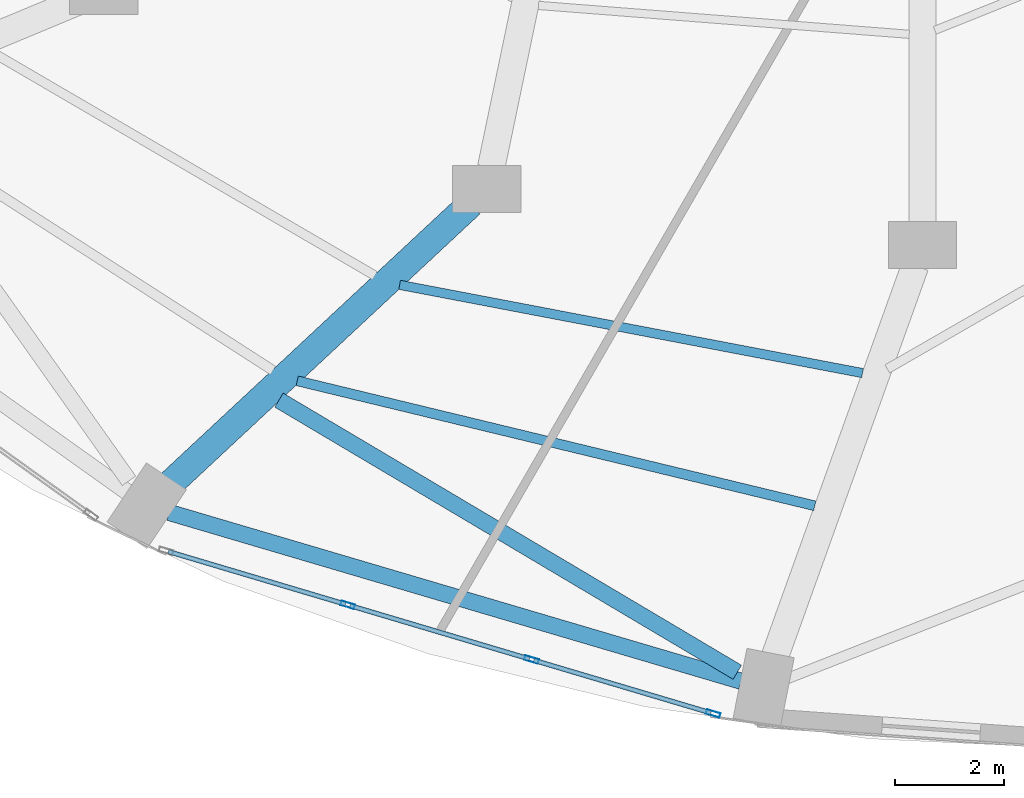
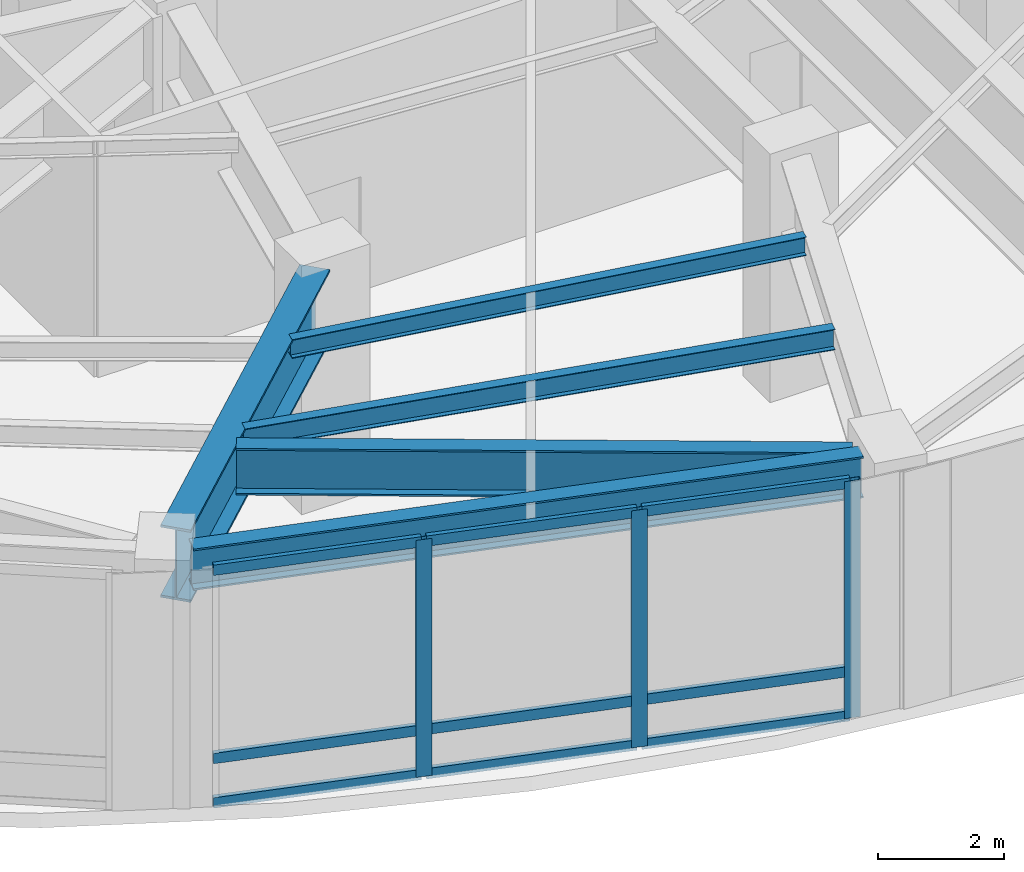
# One storey, part 3 of 24: 12 members, 5 beams, 1 element without a shape of its own.
"""IFC4 building model written with IfcOpenShell, lengths in metres."""

from ifc_helpers import new_model, si_unit, direction, frame, origin, origin_2d, place, context, subcontext, project, spatial, hollow_rectangle, i_section, extrude, material, layer, layer_set, material_profile, profile_set, type_object, element, aggregate, save


model = new_model("IFC4")

# Units and contexts
model_context = context("Model", 3, precision=1e-05, world=origin(), true_north=direction((0.0, 1.0)))
body_context = subcontext(model_context, "Body", "Model", "MODEL_VIEW")
ifc_project = project(units=[si_unit("LENGTHUNIT", "METRE"), si_unit("AREAUNIT", "SQUARE_METRE"), si_unit("VOLUMEUNIT", "CUBIC_METRE"), si_unit("PLANEANGLEUNIT", "RADIAN"), si_unit("MASSUNIT", "GRAM", prefix="KILO")], contexts=[model_context])

# Site, building, storey
site_placement = place(None, origin())
site = spatial("IfcSite", under=ifc_project, at=site_placement, CompositionType="ELEMENT")
building_placement = place(site_placement, origin())
building = spatial("IfcBuilding", under=site, at=building_placement, Name="Lazwardi Medical Tower", CompositionType="ELEMENT")
storey_placement = place(building_placement, frame((0.0, 0.0, 20.39990234375)))
storey = spatial("IfcBuildingStorey", under=building, at=storey_placement, Name="L04", CompositionType="ELEMENT", Elevation=20.39990234375)

# Beams
ifc_material_1 = material(Name="Steel S460", Category="steel")
ifc_material_profile_1 = material_profile(ifc_material_1, i_section(OverallWidth=0.300048828125, OverallDepth=0.89990234375, WebThickness=0.0185546875, FlangeThickness=0.034912109375, at=origin_2d()), Name="HEB 900")
ifc_profile_set_1 = profile_set([ifc_material_profile_1], Name="Steel S460")
beam_type_1 = type_object("IfcBeamType", Name="BM-HB-01", PredefinedType="BEAM", material=ifc_profile_set_1)
beam_1_placement = place(storey_placement, frame((21.02978515625, 8.990966796875, 4.130126953125), z_axis=(0.859874670216, -0.510505192453, 0.0), x_axis=(0.510505192453, 0.859874670216, 0.0)))
element("IfcBeam", 1, at=beam_1_placement, inside=storey, type_object=beam_type_1, Name="Transfer girder tie HB-01 M15 L04", PredefinedType="BEAM", context=body_context, shape_type="SweptSolid", body=[
    extrude(i_section(OverallWidth=0.300048828125, OverallDepth=0.89990234375, WebThickness=0.0185546875, FlangeThickness=0.034912109375, at=origin_2d()), origin(), (0.0, 0.0, 1.0), 9.748291015625),
])
ifc_material_2 = material(Name="Steel S355", Category="steel")
ifc_material_profile_2 = material_profile(ifc_material_2, i_section(OverallWidth=0.300048828125, OverallDepth=0.800048828125, WebThickness=0.017578125, FlangeThickness=0.032958984375, at=origin_2d()), Name="HEB 800")
ifc_profile_set_2 = profile_set([ifc_material_profile_2], Name="Steel S355")
beam_type_2 = type_object("IfcBeamType", Name="BM-RB-P1", PredefinedType="BEAM", material=ifc_profile_set_2)
beam_2_placement = place(storey_placement, frame((19.023193359375, 6.9365234375, 4.18017578125), z_axis=(0.959103395471, -0.283055960537, 0.0), x_axis=(0.283055960537, 0.959103395471, 0.0)))
element("IfcBeam", 2, at=beam_2_placement, inside=storey, type_object=beam_type_2, Name="Ring beam RB-01 B15 L04", PredefinedType="BEAM", context=body_context, shape_type="SweptSolid", body=[
    extrude(i_section(OverallWidth=0.300048828125, OverallDepth=0.800048828125, WebThickness=0.017578125, FlangeThickness=0.032958984375, at=origin_2d()), origin(), (0.0, 0.0, 1.0), 10.904052734375),
])
ifc_material_profile_3 = material_profile(ifc_material_2, i_section(OverallWidth=0.179931640625, OverallDepth=0.39990234375, WebThickness=0.008544921875, FlangeThickness=0.013427734375, at=origin_2d()), Name="IPE 400")
ifc_profile_set_3 = profile_set([ifc_material_profile_3], Name="Steel S355")
beam_type_3 = type_object("IfcBeamType", Name="BM-SJ-01", PredefinedType="JOIST", material=ifc_profile_set_3)
beam_3_placement = place(storey_placement, frame((21.36376953125, 9.34423828125, 4.380126953125), z_axis=(0.972054991485, -0.234753260955, 0.0), x_axis=(0.234753260955, 0.972054991485, 0.0)))
element("IfcBeam", 3, at=beam_3_placement, inside=storey, type_object=beam_type_3, Name="Secondary joist SJ-01 RO1 B15 L04", PredefinedType="JOIST", context=body_context, shape_type="SweptSolid", body=[
    extrude(i_section(OverallWidth=0.179931640625, OverallDepth=0.39990234375, WebThickness=0.008544921875, FlangeThickness=0.013427734375, at=origin_2d()), origin(), (0.0, 0.0, 1.0), 9.738525390625),
])
ifc_material_profile_4 = material_profile(ifc_material_2, i_section(OverallWidth=0.169921875, OverallDepth=0.360107421875, WebThickness=0.008056640625, FlangeThickness=0.0126953125, at=origin_2d()), Name="IPE 360")
ifc_profile_set_4 = profile_set([ifc_material_profile_4], Name="Steel S355")
beam_type_4 = type_object("IfcBeamType", Name="BM-SJ-02", PredefinedType="JOIST", material=ifc_profile_set_4)
beam_4_placement = place(storey_placement, frame((23.23681640625, 11.09912109375, 4.400146484375), z_axis=(0.982319470109, -0.187212335716, 0.0), x_axis=(0.187212335716, 0.982319470109, 0.0)))
element("IfcBeam", 4, at=beam_4_placement, inside=storey, type_object=beam_type_4, Name="Secondary joist SJ-02 RO2 B15 L04", PredefinedType="JOIST", context=body_context, shape_type="SweptSolid", body=[
    extrude(i_section(OverallWidth=0.169921875, OverallDepth=0.360107421875, WebThickness=0.008056640625, FlangeThickness=0.0126953125, at=origin_2d()), origin(), (0.0, 0.0, 1.0), 8.61865234375),
])
ifc_material_profile_5 = material_profile(ifc_material_1, i_section(OverallWidth=0.5, OverallDepth=1.39990234375, WebThickness=0.028076171875, FlangeThickness=0.044921875, at=origin_2d()), Name="PG 1400x500")
ifc_profile_set_5 = profile_set([ifc_material_profile_5], Name="Steel S460")
beam_type_5 = type_object("IfcBeamType", Name="BM-TG-01", PredefinedType="BEAM", material=ifc_profile_set_5)
beam_5_placement = place(storey_placement, frame((19.034912109375, 7.45361328125, 3.880126953125), z_axis=(0.731585142998, 0.681750085108, 0.0), x_axis=(-0.681750085108, 0.731585142998, 0.0)))
element("IfcBeam", 5, at=beam_5_placement, inside=storey, type_object=beam_type_5, Name="Transfer girder TG-01 M15A L04", PredefinedType="BEAM", context=body_context, shape_type="SweptSolid", body=[
    extrude(i_section(OverallWidth=0.5, OverallDepth=1.39990234375, WebThickness=0.028076171875, FlangeThickness=0.044921875, at=origin_2d()), origin(), (0.0, 0.0, 1.0), 7.52001953125),
])

# Curtain wall, members
ifc_material_3 = material(Name="Anodised bronze aluminium and solar control glazing", Category="aluminium")
ifc_layer = layer(ifc_material_3, 0.219970703125)
ifc_layer_set = layer_set([ifc_layer], Name="Anodised bronze aluminium and solar control glazing")
curtain_wall_type = type_object("IfcCurtainWallType", Name="CW-SYS-01", PredefinedType="NOTDEFINED", material=ifc_layer_set)
curtain_wall_placement = place(storey_placement, origin())
curtain_wall = element("IfcCurtainWall", 6, at=curtain_wall_placement, inside=storey, type_object=curtain_wall_type, Name="L04 Unitised bronze curtain wall CW-01", PredefinedType="NOTDEFINED")
ifc_material_4 = material(Name="Anodised bronze aluminium", Category="aluminium")
ifc_material_profile_6 = material_profile(ifc_material_4, hollow_rectangle(XDim=0.0849609375, YDim=0.260009765625, WallThickness=0.0048828125, at=origin_2d()), Name="ALU-MULLION 260x85x5")
ifc_profile_set_6 = profile_set([ifc_material_profile_6], Name="Anodised bronze aluminium")
member_type_1 = type_object("IfcMemberType", Name="CW-MUL-02", PredefinedType="MULLION", material=ifc_profile_set_6)
member_1_placement = place(storey_placement, frame((22.28759765625, 5.245849609375, 0.0), z_axis=(0.0, 0.0, 1.0), x_axis=(0.285047195531, 0.958513482597, 0.0)))
member_1 = element("IfcMember", 7, at=member_1_placement, type_object=member_type_1, Name="CW-01 mullion 2", PredefinedType="MULLION", context=body_context, shape_type="SweptSolid", body=[
    extrude(hollow_rectangle(XDim=0.0849609375, YDim=0.260009765625, WallThickness=0.0048828125, at=origin_2d()), origin(), (0.0, 0.0, 1.0), 4.580078125),
])
member_2_placement = place(storey_placement, frame((25.649658203125, 4.245849609375, 0.0), z_axis=(0.0, 0.0, 1.0), x_axis=(0.285047195531, 0.958513482597, 0.0)))
member_2 = element("IfcMember", 8, at=member_2_placement, type_object=member_type_1, Name="CW-01 mullion 3", PredefinedType="MULLION", context=body_context, shape_type="SweptSolid", body=[
    extrude(hollow_rectangle(XDim=0.0849609375, YDim=0.260009765625, WallThickness=0.0048828125, at=origin_2d()), origin(), (0.0, 0.0, 1.0), 4.580078125),
])
member_3_placement = place(storey_placement, frame((28.97119140625, 3.25830078125, 0.0), z_axis=(0.0, 0.0, 1.0), x_axis=(0.285047195531, 0.958513482597, 0.0)))
member_3 = element("IfcMember", 9, at=member_3_placement, type_object=member_type_1, Name="CW-01 mullion 4", PredefinedType="MULLION", context=body_context, shape_type="SweptSolid", body=[
    extrude(hollow_rectangle(XDim=0.0849609375, YDim=0.260009765625, WallThickness=0.0048828125, at=origin_2d()), origin(), (0.0, 0.0, 1.0), 4.580078125),
])
ifc_material_profile_7 = material_profile(ifc_material_4, hollow_rectangle(XDim=0.0849609375, YDim=0.199951171875, WallThickness=0.00439453125, at=origin_2d()), Name="ALU-TRANSOM 200x85x4.5")
ifc_profile_set_7 = profile_set([ifc_material_profile_7], Name="Anodised bronze aluminium")
member_type_2 = type_object("IfcMemberType", Name="CW-TRN-02", PredefinedType="USERDEFINED", material=ifc_profile_set_7)
member_4_placement = place(storey_placement, frame((19.0068359375, 6.221435546875, 0.04248046875), z_axis=(0.958525157923, -0.285007932572, 0.0), x_axis=(0.285007932572, 0.958525157923, 0.0)))
member_4 = element("IfcMember", 10, at=member_4_placement, type_object=member_type_2, Name="CW-01 transom 1.1", ObjectType="TRANSOM", PredefinedType="USERDEFINED", context=body_context, shape_type="SweptSolid", body=[
    extrude(hollow_rectangle(XDim=0.0849609375, YDim=0.199951171875, WallThickness=0.00439453125, at=origin_2d()), origin(), (0.0, 0.0, 1.0), 3.380126953125),
])
member_5_placement = place(storey_placement, frame((19.0068359375, 6.221435546875, 0.900146484375), z_axis=(0.958525157923, -0.285007932572, 0.0), x_axis=(0.285007932572, 0.958525157923, 0.0)))
member_5 = element("IfcMember", 11, at=member_5_placement, type_object=member_type_2, Name="CW-01 transom 1.2", ObjectType="TRANSOM", PredefinedType="USERDEFINED", context=body_context, shape_type="SweptSolid", body=[
    extrude(hollow_rectangle(XDim=0.0849609375, YDim=0.199951171875, WallThickness=0.00439453125, at=origin_2d()), origin(), (0.0, 0.0, 1.0), 3.380126953125),
])
member_6_placement = place(storey_placement, frame((19.0068359375, 6.221435546875, 4.53759765625), z_axis=(0.958525157923, -0.285007932572, 0.0), x_axis=(0.285007932572, 0.958525157923, 0.0)))
member_6 = element("IfcMember", 12, at=member_6_placement, type_object=member_type_2, Name="CW-01 transom 1.3", ObjectType="TRANSOM", PredefinedType="USERDEFINED", context=body_context, shape_type="SweptSolid", body=[
    extrude(hollow_rectangle(XDim=0.0849609375, YDim=0.199951171875, WallThickness=0.00439453125, at=origin_2d()), origin(), (0.0, 0.0, 1.0), 3.380126953125),
])
member_7_placement = place(storey_placement, frame((22.328125, 5.233642578125, 0.04248046875), z_axis=(0.958518450342, -0.285030490219, 0.0), x_axis=(0.285030490219, 0.958518450342, 0.0)))
member_7 = element("IfcMember", 13, at=member_7_placement, type_object=member_type_2, Name="CW-01 transom 2.1", ObjectType="TRANSOM", PredefinedType="USERDEFINED", context=body_context, shape_type="SweptSolid", body=[
    extrude(hollow_rectangle(XDim=0.0849609375, YDim=0.199951171875, WallThickness=0.00439453125, at=origin_2d()), origin(), (0.0, 0.0, 1.0), 3.4228515625),
])
member_8_placement = place(storey_placement, frame((22.328125, 5.233642578125, 0.900146484375), z_axis=(0.958518450342, -0.285030490219, 0.0), x_axis=(0.285030490219, 0.958518450342, 0.0)))
member_8 = element("IfcMember", 14, at=member_8_placement, type_object=member_type_2, Name="CW-01 transom 2.2", ObjectType="TRANSOM", PredefinedType="USERDEFINED", context=body_context, shape_type="SweptSolid", body=[
    extrude(hollow_rectangle(XDim=0.0849609375, YDim=0.199951171875, WallThickness=0.00439453125, at=origin_2d()), origin(), (0.0, 0.0, 1.0), 3.4228515625),
])
member_9_placement = place(storey_placement, frame((22.328125, 5.233642578125, 4.53759765625), z_axis=(0.958518450342, -0.285030490219, 0.0), x_axis=(0.285030490219, 0.958518450342, 0.0)))
member_9 = element("IfcMember", 15, at=member_9_placement, type_object=member_type_2, Name="CW-01 transom 2.3", ObjectType="TRANSOM", PredefinedType="USERDEFINED", context=body_context, shape_type="SweptSolid", body=[
    extrude(hollow_rectangle(XDim=0.0849609375, YDim=0.199951171875, WallThickness=0.00439453125, at=origin_2d()), origin(), (0.0, 0.0, 1.0), 3.4228515625),
])
member_10_placement = place(storey_placement, frame((25.6904296875, 4.23388671875, 0.04248046875), z_axis=(0.958505424522, -0.285074290603, 0.0), x_axis=(0.285074290603, 0.958505424522, 0.0)))
member_10 = element("IfcMember", 16, at=member_10_placement, type_object=member_type_2, Name="CW-01 transom 3.1", ObjectType="TRANSOM", PredefinedType="USERDEFINED", context=body_context, shape_type="SweptSolid", body=[
    extrude(hollow_rectangle(XDim=0.0849609375, YDim=0.199951171875, WallThickness=0.00439453125, at=origin_2d()), origin(), (0.0, 0.0, 1.0), 3.38037109375),
])
member_11_placement = place(storey_placement, frame((25.6904296875, 4.23388671875, 0.900146484375), z_axis=(0.958505424522, -0.285074290603, 0.0), x_axis=(0.285074290603, 0.958505424522, 0.0)))
member_11 = element("IfcMember", 17, at=member_11_placement, type_object=member_type_2, Name="CW-01 transom 3.2", ObjectType="TRANSOM", PredefinedType="USERDEFINED", context=body_context, shape_type="SweptSolid", body=[
    extrude(hollow_rectangle(XDim=0.0849609375, YDim=0.199951171875, WallThickness=0.00439453125, at=origin_2d()), origin(), (0.0, 0.0, 1.0), 3.38037109375),
])
member_12_placement = place(storey_placement, frame((25.6904296875, 4.23388671875, 4.53759765625), z_axis=(0.958505424522, -0.285074290603, 0.0), x_axis=(0.285074290603, 0.958505424522, 0.0)))
member_12 = element("IfcMember", 18, at=member_12_placement, type_object=member_type_2, Name="CW-01 transom 3.3", ObjectType="TRANSOM", PredefinedType="USERDEFINED", context=body_context, shape_type="SweptSolid", body=[
    extrude(hollow_rectangle(XDim=0.0849609375, YDim=0.199951171875, WallThickness=0.00439453125, at=origin_2d()), origin(), (0.0, 0.0, 1.0), 3.38037109375),
])
aggregate(curtain_wall, [member_1, member_2, member_3, member_4, member_5, member_6, member_7, member_8, member_9, member_10, member_11, member_12])

save(model, "model.ifc")
